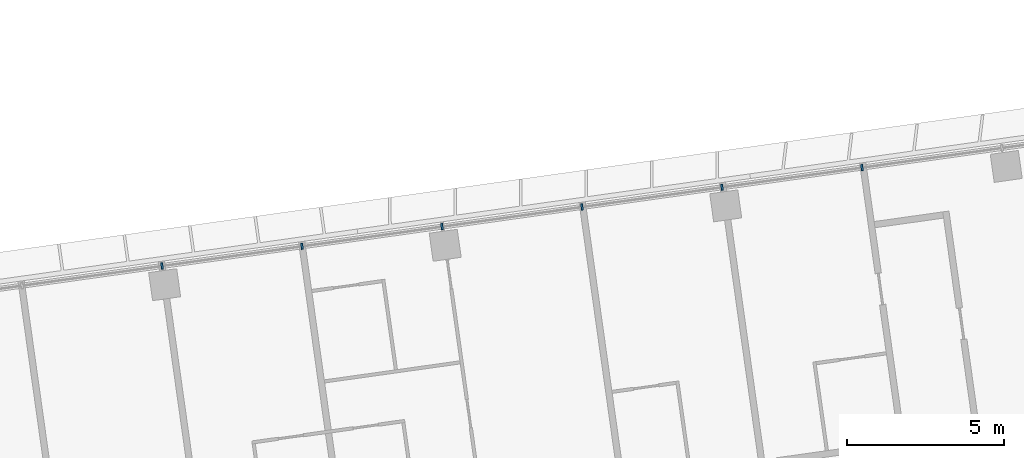
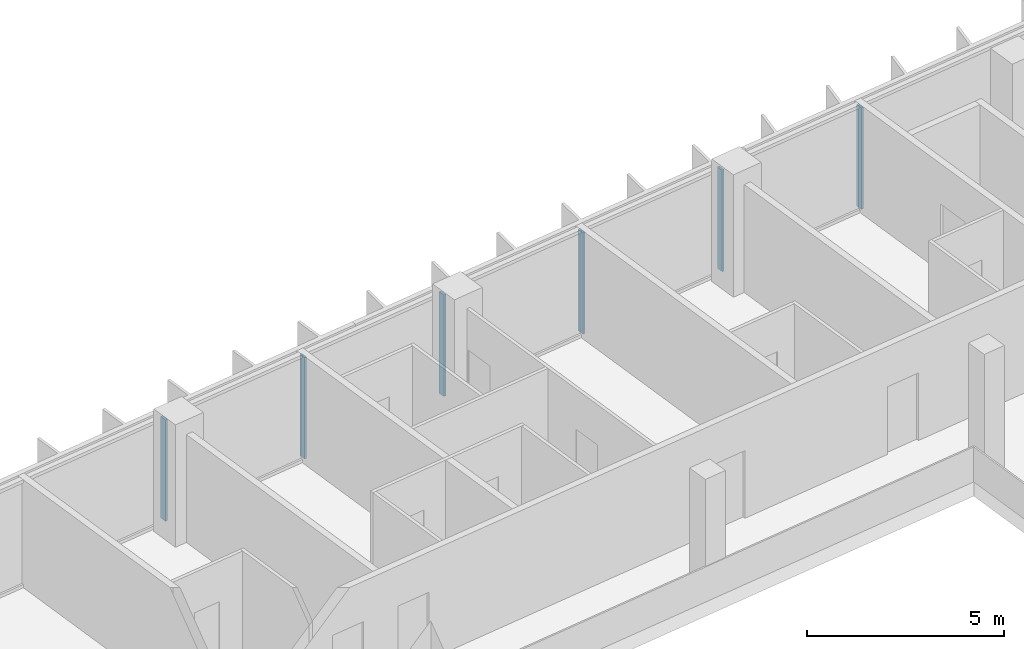
# One storey, part 10 of 26: 6 members, 1 element without a shape of its own.
"""IFC4 building model written with IfcOpenShell, lengths in metres."""

from ifc_helpers import new_model, si_unit, direction, frame, origin, origin_2d, place, context, subcontext, project, spatial, rectangle, extrude, material, material_profile, profile_set, type_object, element, aggregate, save


model = new_model("IFC4")

# Units and contexts
model_context = context("Model", 3, precision=1e-05, world=origin(), true_north=direction((0.0, 1.0)))
body_context = subcontext(model_context, "Body", "Model", "MODEL_VIEW")
ifc_project = project(units=[si_unit("LENGTHUNIT", "METRE"), si_unit("AREAUNIT", "SQUARE_METRE"), si_unit("VOLUMEUNIT", "CUBIC_METRE"), si_unit("PLANEANGLEUNIT", "RADIAN"), si_unit("MASSUNIT", "GRAM", prefix="KILO")], contexts=[model_context])

# Site, building, storey
site_placement = place(None, origin())
site = spatial("IfcSite", under=ifc_project, at=site_placement, CompositionType="ELEMENT")
building_placement = place(site_placement, origin())
building = spatial("IfcBuilding", under=site, at=building_placement, Name="Mirante Cascada Hotel Towers", CompositionType="ELEMENT")
storey_placement = place(building_placement, frame((0.0, 0.0, 144.3)))
storey = spatial("IfcBuildingStorey", under=building, at=storey_placement, Name="L33", CompositionType="ELEMENT", Elevation=144.3)

# Curtain wall, members
ifc_material_1 = material(Name="Aluminium mullion and transom frame with clear laminated glass", Category="aluminium")
curtain_wall_type = type_object("IfcCurtainWallType", Name="Ribbon curtain wall ECW1", PredefinedType="NOTDEFINED", material=ifc_material_1)
curtain_wall_placement = place(storey_placement, origin())
curtain_wall = element("IfcCurtainWall", 1, at=curtain_wall_placement, inside=storey, type_object=curtain_wall_type, Name="Front ribbon wall T2 L33", PredefinedType="NOTDEFINED")
ifc_material_2 = material(Name="Anodised aluminium extrusion", Category="aluminium")
ifc_material_profile = material_profile(ifc_material_2, rectangle(XDim=0.2, YDim=0.065, at=origin_2d()), Name="ECW1 MULLION 65x200")
ifc_profile_set = profile_set([ifc_material_profile], Name="Anodised aluminium extrusion")
member_type = type_object("IfcMemberType", Name="ECW1 mullion 65x200", PredefinedType="MULLION", material=ifc_profile_set)
member_1_placement = place(storey_placement, frame((85.2633, 24.802, 0.1), z_axis=(0.0, 0.0, 1.0), x_axis=(0.1391731, -0.9902681, 0.0)))
member_1 = element("IfcMember", 2, at=member_1_placement, type_object=member_type, Name="ECW1 mullion 3", PredefinedType="MULLION", context=body_context, shape_type="SweptSolid", body=[
    extrude(rectangle(XDim=0.2, YDim=0.065, at=origin_2d()), origin(), (0.0, 0.0, 1.0), 3.15),
])
member_2_placement = place(storey_placement, frame((80.8159, 24.177, 0.1), z_axis=(0.0, 0.0, 1.0), x_axis=(0.1391731, -0.9902681, 0.0)))
member_2 = element("IfcMember", 3, at=member_2_placement, type_object=member_type, Name="ECW1 mullion 4", PredefinedType="MULLION", context=body_context, shape_type="SweptSolid", body=[
    extrude(rectangle(XDim=0.2, YDim=0.065, at=origin_2d()), origin(), (0.0, 0.0, 1.0), 3.15),
])
member_3_placement = place(storey_placement, frame((76.3685, 23.5519, 0.1), z_axis=(0.0, 0.0, 1.0), x_axis=(0.1391731, -0.9902681, 0.0)))
member_3 = element("IfcMember", 4, at=member_3_placement, type_object=member_type, Name="ECW1 mullion 5", PredefinedType="MULLION", context=body_context, shape_type="SweptSolid", body=[
    extrude(rectangle(XDim=0.2, YDim=0.065, at=origin_2d()), origin(), (0.0, 0.0, 1.0), 3.15),
])
member_4_placement = place(storey_placement, frame((71.9211, 22.9269, 0.1), z_axis=(0.0, 0.0, 1.0), x_axis=(0.1391731, -0.9902681, 0.0)))
member_4 = element("IfcMember", 5, at=member_4_placement, type_object=member_type, Name="ECW1 mullion 6", PredefinedType="MULLION", context=body_context, shape_type="SweptSolid", body=[
    extrude(rectangle(XDim=0.2, YDim=0.065, at=origin_2d()), origin(), (0.0, 0.0, 1.0), 3.15),
])
member_5_placement = place(storey_placement, frame((67.4737, 22.3018, 0.1), z_axis=(0.0, 0.0, 1.0), x_axis=(0.1391731, -0.9902681, 0.0)))
member_5 = element("IfcMember", 6, at=member_5_placement, type_object=member_type, Name="ECW1 mullion 7", PredefinedType="MULLION", context=body_context, shape_type="SweptSolid", body=[
    extrude(rectangle(XDim=0.2, YDim=0.065, at=origin_2d()), origin(), (0.0, 0.0, 1.0), 3.15),
])
member_6_placement = place(storey_placement, frame((63.0262, 21.6768, 0.1), z_axis=(0.0, 0.0, 1.0), x_axis=(0.1391731, -0.9902681, 0.0)))
member_6 = element("IfcMember", 7, at=member_6_placement, type_object=member_type, Name="ECW1 mullion 8", PredefinedType="MULLION", context=body_context, shape_type="SweptSolid", body=[
    extrude(rectangle(XDim=0.2, YDim=0.065, at=origin_2d()), origin(), (0.0, 0.0, 1.0), 3.15),
])
aggregate(curtain_wall, [member_1, member_2, member_3, member_4, member_5, member_6])

save(model, "model.ifc")
